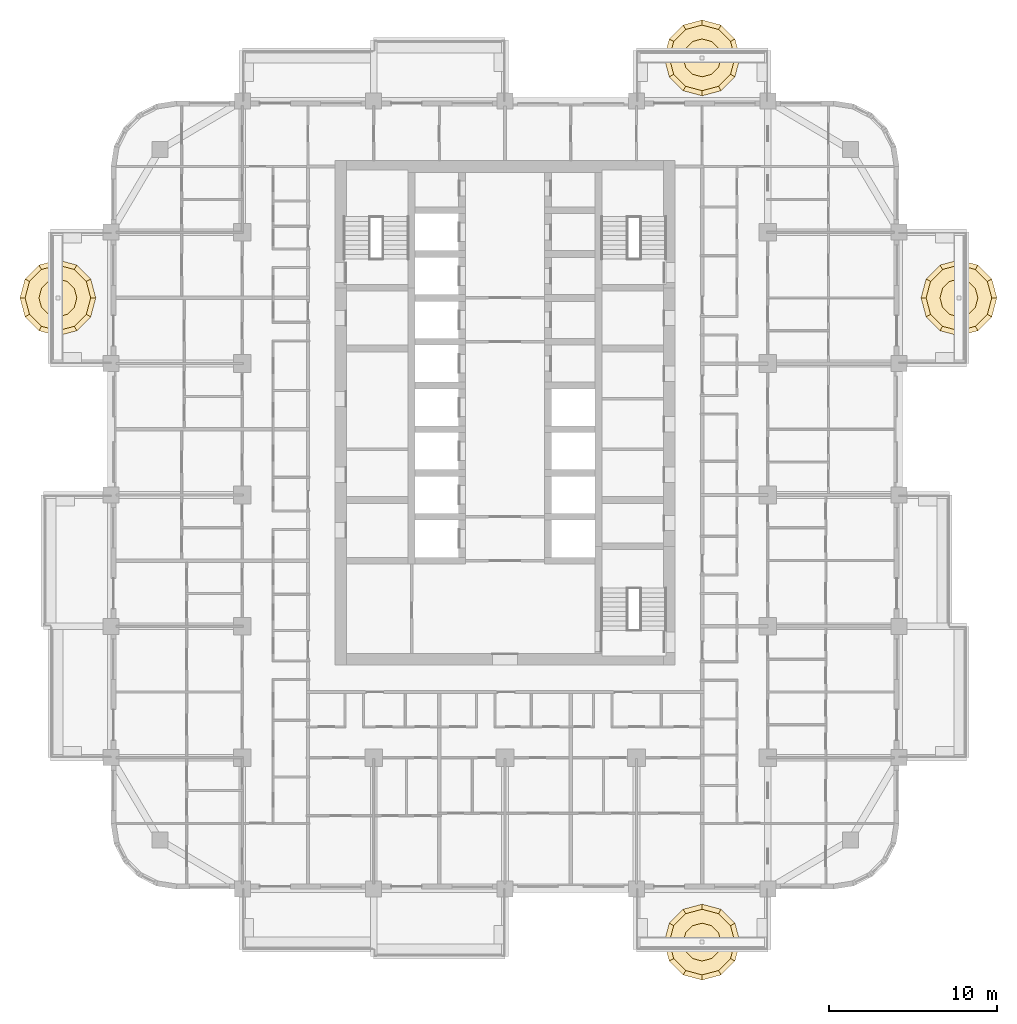
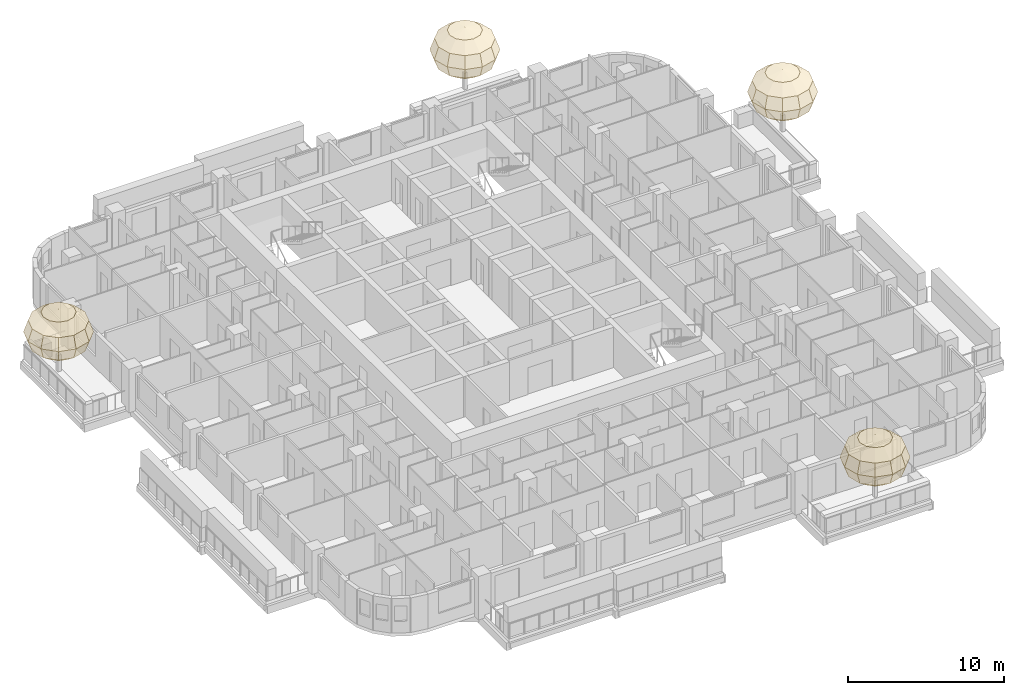
# One storey, part 19 of 19: 4 coverings.
"""IFC4 building model written with IfcOpenShell, lengths in metres."""

from ifc_helpers import new_model, si_unit, direction, frame, origin, place, context, subcontext, project, spatial, triangles, material, layer, layer_set, type_object, element, save


model = new_model("IFC4")

# Units and contexts
model_context = context("Model", 3, precision=1e-05, world=origin(), true_north=direction((0.0, 1.0)))
body_context = subcontext(model_context, "Body", "Model", "MODEL_VIEW")
ifc_project = project(units=[si_unit("LENGTHUNIT", "METRE"), si_unit("AREAUNIT", "SQUARE_METRE"), si_unit("VOLUMEUNIT", "CUBIC_METRE"), si_unit("PLANEANGLEUNIT", "RADIAN"), si_unit("MASSUNIT", "GRAM", prefix="KILO")], contexts=[model_context])

# Site, building, storey
site_placement = place(None, origin())
site = spatial("IfcSite", under=ifc_project, at=site_placement, CompositionType="ELEMENT")
building_placement = place(site_placement, origin())
building = spatial("IfcBuilding", under=site, at=building_placement, Name="Ludao Terraces", CompositionType="ELEMENT")
storey_placement = place(building_placement, frame((0.0, 0.0, 68.199951171875)))
storey = spatial("IfcBuildingStorey", under=building, at=storey_placement, Name="L18", CompositionType="ELEMENT", Elevation=68.199951171875)

# Coverings
ifc_material = material(Name="Planting")
ifc_layer = layer(ifc_material, 4.5)
ifc_layer_set = layer_set([ifc_layer], Name="ENV Tree crown 4500x3500")
covering_type = type_object("IfcCoveringType", Name="ENV Tree crown 4500x3500", PredefinedType="USERDEFINED", material=ifc_layer_set)
covering_1_placement = place(storey_placement, frame((96.699951171875, 38.449951171875, 4.400146484375)))
element("IfcCovering", 1, at=covering_1_placement, inside=storey, type_object=covering_type, Name="Tree crown L18 S4", ObjectType="PLANTING", PredefinedType="USERDEFINED", context=body_context, shape_type="Tessellation", body=[
    triangles([(0.0, 0.0, 1.75), (1.125, 0.0, 1.515625), (0.974365234375, 0.5625, 1.515625), (0.5625, 0.974365234375, 1.515625), (0.0, 1.125, 1.515625), (-0.5625, 0.974365234375, 1.515625), (-0.974365234375, 0.5625, 1.515625), (-1.125, 0.0, 1.515625), (-0.974365234375, -0.5625, 1.515625), (-0.5625, -0.974365234375, 1.515625), (0.0, -1.125, 1.515625), (0.5625, -0.974365234375, 1.515625), (0.974365234375, -0.5625, 1.515625), (1.948486328125, 0.0, 0.875), (1.6875, 0.974365234375, 0.875), (0.974365234375, 1.6875, 0.875), (0.0, 1.948486328125, 0.875), (-0.974365234375, 1.6875, 0.875), (-1.6875, 0.974365234375, 0.875), (-1.948486328125, 0.0, 0.875), (-1.6875, -0.974365234375, 0.875), (-0.974365234375, -1.6875, 0.875), (0.0, -1.948486328125, 0.875), (0.974365234375, -1.6875, 0.875), (1.6875, -0.974365234375, 0.875), (2.25, 0.0, 0.0), (1.948486328125, 1.125, 0.0), (1.125, 1.948486328125, 0.0), (0.0, 2.25, 0.0), (-1.125, 1.948486328125, 0.0), (-1.948486328125, 1.125, 0.0), (-2.25, 0.0, 0.0), (-1.948486328125, -1.125, 0.0), (-1.125, -1.948486328125, 0.0), (0.0, -2.25, 0.0), (1.125, -1.948486328125, 0.0), (1.948486328125, -1.125, 0.0), (1.948486328125, 0.0, -0.875), (1.6875, 0.974365234375, -0.875), (0.974365234375, 1.6875, -0.875), (0.0, 1.948486328125, -0.875), (-0.974365234375, 1.6875, -0.875), (-1.6875, 0.974365234375, -0.875), (-1.948486328125, 0.0, -0.875), (-1.6875, -0.974365234375, -0.875), (-0.974365234375, -1.6875, -0.875), (0.0, -1.948486328125, -0.875), (0.974365234375, -1.6875, -0.875), (1.6875, -0.974365234375, -0.875), (1.125, 0.0, -1.515625), (0.974365234375, 0.5625, -1.515625), (0.5625, 0.974365234375, -1.515625), (0.0, 1.125, -1.515625), (-0.5625, 0.974365234375, -1.515625), (-0.974365234375, 0.5625, -1.515625), (-1.125, 0.0, -1.515625), (-0.974365234375, -0.5625, -1.515625), (-0.5625, -0.974365234375, -1.515625), (0.0, -1.125, -1.515625), (0.5625, -0.974365234375, -1.515625), (0.974365234375, -0.5625, -1.515625), (0.0, 0.0, -1.75)], [[1, 2, 3], [1, 3, 4], [1, 4, 5], [1, 5, 6], [1, 6, 7], [1, 7, 8], [1, 8, 9], [1, 9, 10], [1, 10, 11], [1, 11, 12], [1, 12, 13], [1, 13, 2], [2, 14, 15], [2, 15, 3], [3, 15, 16], [3, 16, 4], [4, 16, 17], [4, 17, 5], [5, 17, 18], [5, 18, 6], [6, 18, 19], [6, 19, 7], [7, 19, 20], [7, 20, 8], [8, 20, 21], [8, 21, 9], [9, 21, 22], [9, 22, 10], [10, 22, 23], [10, 23, 11], [11, 23, 24], [11, 24, 12], [12, 24, 25], [12, 25, 13], [13, 25, 14], [13, 14, 2], [14, 26, 27], [14, 27, 15], [15, 27, 28], [15, 28, 16], [16, 28, 29], [16, 29, 17], [17, 29, 30], [17, 30, 18], [18, 30, 31], [18, 31, 19], [19, 31, 32], [19, 32, 20], [20, 32, 33], [20, 33, 21], [21, 33, 34], [21, 34, 22], [22, 34, 35], [22, 35, 23], [23, 35, 36], [23, 36, 24], [24, 36, 37], [24, 37, 25], [25, 37, 26], [25, 26, 14], [26, 38, 39], [26, 39, 27], [27, 39, 40], [27, 40, 28], [28, 40, 41], [28, 41, 29], [29, 41, 42], [29, 42, 30], [30, 42, 43], [30, 43, 31], [31, 43, 44], [31, 44, 32], [32, 44, 45], [32, 45, 33], [33, 45, 46], [33, 46, 34], [34, 46, 47], [34, 47, 35], [35, 47, 48], [35, 48, 36], [36, 48, 49], [36, 49, 37], [37, 49, 38], [37, 38, 26], [38, 50, 51], [38, 51, 39], [39, 51, 52], [39, 52, 40], [40, 52, 53], [40, 53, 41], [41, 53, 54], [41, 54, 42], [42, 54, 55], [42, 55, 43], [43, 55, 56], [43, 56, 44], [44, 56, 57], [44, 57, 45], [45, 57, 58], [45, 58, 46], [46, 58, 59], [46, 59, 47], [47, 59, 60], [47, 60, 48], [48, 60, 61], [48, 61, 49], [49, 61, 50], [49, 50, 38], [62, 51, 50], [62, 52, 51], [62, 53, 52], [62, 54, 53], [62, 55, 54], [62, 56, 55], [62, 57, 56], [62, 58, 57], [62, 59, 58], [62, 60, 59], [62, 61, 60], [62, 50, 61]], closed=True),
])
covering_2_placement = place(storey_placement, frame((111.949951171875, 76.699951171875, 4.400146484375)))
element("IfcCovering", 2, at=covering_2_placement, inside=storey, type_object=covering_type, Name="Tree crown L18 E4", ObjectType="PLANTING", PredefinedType="USERDEFINED", context=body_context, shape_type="Tessellation", body=[
    triangles([(0.0, 0.0, 1.75), (1.125, 0.0, 1.515625), (0.974365234375, 0.5625, 1.515625), (0.5625, 0.974365234375, 1.515625), (0.0, 1.125, 1.515625), (-0.5625, 0.974365234375, 1.515625), (-0.974365234375, 0.5625, 1.515625), (-1.125, 0.0, 1.515625), (-0.974365234375, -0.5625, 1.515625), (-0.5625, -0.974365234375, 1.515625), (0.0, -1.125, 1.515625), (0.5625, -0.974365234375, 1.515625), (0.974365234375, -0.5625, 1.515625), (1.948486328125, 0.0, 0.875), (1.6875, 0.974365234375, 0.875), (0.974365234375, 1.6875, 0.875), (0.0, 1.948486328125, 0.875), (-0.974365234375, 1.6875, 0.875), (-1.6875, 0.974365234375, 0.875), (-1.948486328125, 0.0, 0.875), (-1.6875, -0.974365234375, 0.875), (-0.974365234375, -1.6875, 0.875), (0.0, -1.948486328125, 0.875), (0.974365234375, -1.6875, 0.875), (1.6875, -0.974365234375, 0.875), (2.25, 0.0, 0.0), (1.948486328125, 1.125, 0.0), (1.125, 1.948486328125, 0.0), (0.0, 2.25, 0.0), (-1.125, 1.948486328125, 0.0), (-1.948486328125, 1.125, 0.0), (-2.25, 0.0, 0.0), (-1.948486328125, -1.125, 0.0), (-1.125, -1.948486328125, 0.0), (0.0, -2.25, 0.0), (1.125, -1.948486328125, 0.0), (1.948486328125, -1.125, 0.0), (1.948486328125, 0.0, -0.875), (1.6875, 0.974365234375, -0.875), (0.974365234375, 1.6875, -0.875), (0.0, 1.948486328125, -0.875), (-0.974365234375, 1.6875, -0.875), (-1.6875, 0.974365234375, -0.875), (-1.948486328125, 0.0, -0.875), (-1.6875, -0.974365234375, -0.875), (-0.974365234375, -1.6875, -0.875), (0.0, -1.948486328125, -0.875), (0.974365234375, -1.6875, -0.875), (1.6875, -0.974365234375, -0.875), (1.125, 0.0, -1.515625), (0.974365234375, 0.5625, -1.515625), (0.5625, 0.974365234375, -1.515625), (0.0, 1.125, -1.515625), (-0.5625, 0.974365234375, -1.515625), (-0.974365234375, 0.5625, -1.515625), (-1.125, 0.0, -1.515625), (-0.974365234375, -0.5625, -1.515625), (-0.5625, -0.974365234375, -1.515625), (0.0, -1.125, -1.515625), (0.5625, -0.974365234375, -1.515625), (0.974365234375, -0.5625, -1.515625), (0.0, 0.0, -1.75)], [[1, 2, 3], [1, 3, 4], [1, 4, 5], [1, 5, 6], [1, 6, 7], [1, 7, 8], [1, 8, 9], [1, 9, 10], [1, 10, 11], [1, 11, 12], [1, 12, 13], [1, 13, 2], [2, 14, 15], [2, 15, 3], [3, 15, 16], [3, 16, 4], [4, 16, 17], [4, 17, 5], [5, 17, 18], [5, 18, 6], [6, 18, 19], [6, 19, 7], [7, 19, 20], [7, 20, 8], [8, 20, 21], [8, 21, 9], [9, 21, 22], [9, 22, 10], [10, 22, 23], [10, 23, 11], [11, 23, 24], [11, 24, 12], [12, 24, 25], [12, 25, 13], [13, 25, 14], [13, 14, 2], [14, 26, 27], [14, 27, 15], [15, 27, 28], [15, 28, 16], [16, 28, 29], [16, 29, 17], [17, 29, 30], [17, 30, 18], [18, 30, 31], [18, 31, 19], [19, 31, 32], [19, 32, 20], [20, 32, 33], [20, 33, 21], [21, 33, 34], [21, 34, 22], [22, 34, 35], [22, 35, 23], [23, 35, 36], [23, 36, 24], [24, 36, 37], [24, 37, 25], [25, 37, 26], [25, 26, 14], [26, 38, 39], [26, 39, 27], [27, 39, 40], [27, 40, 28], [28, 40, 41], [28, 41, 29], [29, 41, 42], [29, 42, 30], [30, 42, 43], [30, 43, 31], [31, 43, 44], [31, 44, 32], [32, 44, 45], [32, 45, 33], [33, 45, 46], [33, 46, 34], [34, 46, 47], [34, 47, 35], [35, 47, 48], [35, 48, 36], [36, 48, 49], [36, 49, 37], [37, 49, 38], [37, 38, 26], [38, 50, 51], [38, 51, 39], [39, 51, 52], [39, 52, 40], [40, 52, 53], [40, 53, 41], [41, 53, 54], [41, 54, 42], [42, 54, 55], [42, 55, 43], [43, 55, 56], [43, 56, 44], [44, 56, 57], [44, 57, 45], [45, 57, 58], [45, 58, 46], [46, 58, 59], [46, 59, 47], [47, 59, 60], [47, 60, 48], [48, 60, 61], [48, 61, 49], [49, 61, 50], [49, 50, 38], [62, 51, 50], [62, 52, 51], [62, 53, 52], [62, 54, 53], [62, 55, 54], [62, 56, 55], [62, 57, 56], [62, 58, 57], [62, 59, 58], [62, 60, 59], [62, 61, 60], [62, 50, 61]], closed=True),
])
covering_3_placement = place(storey_placement, frame((96.699951171875, 90.949951171875, 4.400146484375)))
element("IfcCovering", 3, at=covering_3_placement, inside=storey, type_object=covering_type, Name="Tree crown L18 N4", ObjectType="PLANTING", PredefinedType="USERDEFINED", context=body_context, shape_type="Tessellation", body=[
    triangles([(0.0, 0.0, 1.75), (1.125, 0.0, 1.515625), (0.974365234375, 0.5625, 1.515625), (0.5625, 0.974365234375, 1.515625), (0.0, 1.125, 1.515625), (-0.5625, 0.974365234375, 1.515625), (-0.974365234375, 0.5625, 1.515625), (-1.125, 0.0, 1.515625), (-0.974365234375, -0.5625, 1.515625), (-0.5625, -0.974365234375, 1.515625), (0.0, -1.125, 1.515625), (0.5625, -0.974365234375, 1.515625), (0.974365234375, -0.5625, 1.515625), (1.948486328125, 0.0, 0.875), (1.6875, 0.974365234375, 0.875), (0.974365234375, 1.6875, 0.875), (0.0, 1.948486328125, 0.875), (-0.974365234375, 1.6875, 0.875), (-1.6875, 0.974365234375, 0.875), (-1.948486328125, 0.0, 0.875), (-1.6875, -0.974365234375, 0.875), (-0.974365234375, -1.6875, 0.875), (0.0, -1.948486328125, 0.875), (0.974365234375, -1.6875, 0.875), (1.6875, -0.974365234375, 0.875), (2.25, 0.0, 0.0), (1.948486328125, 1.125, 0.0), (1.125, 1.948486328125, 0.0), (0.0, 2.25, 0.0), (-1.125, 1.948486328125, 0.0), (-1.948486328125, 1.125, 0.0), (-2.25, 0.0, 0.0), (-1.948486328125, -1.125, 0.0), (-1.125, -1.948486328125, 0.0), (0.0, -2.25, 0.0), (1.125, -1.948486328125, 0.0), (1.948486328125, -1.125, 0.0), (1.948486328125, 0.0, -0.875), (1.6875, 0.974365234375, -0.875), (0.974365234375, 1.6875, -0.875), (0.0, 1.948486328125, -0.875), (-0.974365234375, 1.6875, -0.875), (-1.6875, 0.974365234375, -0.875), (-1.948486328125, 0.0, -0.875), (-1.6875, -0.974365234375, -0.875), (-0.974365234375, -1.6875, -0.875), (0.0, -1.948486328125, -0.875), (0.974365234375, -1.6875, -0.875), (1.6875, -0.974365234375, -0.875), (1.125, 0.0, -1.515625), (0.974365234375, 0.5625, -1.515625), (0.5625, 0.974365234375, -1.515625), (0.0, 1.125, -1.515625), (-0.5625, 0.974365234375, -1.515625), (-0.974365234375, 0.5625, -1.515625), (-1.125, 0.0, -1.515625), (-0.974365234375, -0.5625, -1.515625), (-0.5625, -0.974365234375, -1.515625), (0.0, -1.125, -1.515625), (0.5625, -0.974365234375, -1.515625), (0.974365234375, -0.5625, -1.515625), (0.0, 0.0, -1.75)], [[1, 2, 3], [1, 3, 4], [1, 4, 5], [1, 5, 6], [1, 6, 7], [1, 7, 8], [1, 8, 9], [1, 9, 10], [1, 10, 11], [1, 11, 12], [1, 12, 13], [1, 13, 2], [2, 14, 15], [2, 15, 3], [3, 15, 16], [3, 16, 4], [4, 16, 17], [4, 17, 5], [5, 17, 18], [5, 18, 6], [6, 18, 19], [6, 19, 7], [7, 19, 20], [7, 20, 8], [8, 20, 21], [8, 21, 9], [9, 21, 22], [9, 22, 10], [10, 22, 23], [10, 23, 11], [11, 23, 24], [11, 24, 12], [12, 24, 25], [12, 25, 13], [13, 25, 14], [13, 14, 2], [14, 26, 27], [14, 27, 15], [15, 27, 28], [15, 28, 16], [16, 28, 29], [16, 29, 17], [17, 29, 30], [17, 30, 18], [18, 30, 31], [18, 31, 19], [19, 31, 32], [19, 32, 20], [20, 32, 33], [20, 33, 21], [21, 33, 34], [21, 34, 22], [22, 34, 35], [22, 35, 23], [23, 35, 36], [23, 36, 24], [24, 36, 37], [24, 37, 25], [25, 37, 26], [25, 26, 14], [26, 38, 39], [26, 39, 27], [27, 39, 40], [27, 40, 28], [28, 40, 41], [28, 41, 29], [29, 41, 42], [29, 42, 30], [30, 42, 43], [30, 43, 31], [31, 43, 44], [31, 44, 32], [32, 44, 45], [32, 45, 33], [33, 45, 46], [33, 46, 34], [34, 46, 47], [34, 47, 35], [35, 47, 48], [35, 48, 36], [36, 48, 49], [36, 49, 37], [37, 49, 38], [37, 38, 26], [38, 50, 51], [38, 51, 39], [39, 51, 52], [39, 52, 40], [40, 52, 53], [40, 53, 41], [41, 53, 54], [41, 54, 42], [42, 54, 55], [42, 55, 43], [43, 55, 56], [43, 56, 44], [44, 56, 57], [44, 57, 45], [45, 57, 58], [45, 58, 46], [46, 58, 59], [46, 59, 47], [47, 59, 60], [47, 60, 48], [48, 60, 61], [48, 61, 49], [49, 61, 50], [49, 50, 38], [62, 51, 50], [62, 52, 51], [62, 53, 52], [62, 54, 53], [62, 55, 54], [62, 56, 55], [62, 57, 56], [62, 58, 57], [62, 59, 58], [62, 60, 59], [62, 61, 60], [62, 50, 61]], closed=True),
])
covering_4_placement = place(storey_placement, frame((58.449951171875, 76.699951171875, 4.400146484375)))
element("IfcCovering", 4, at=covering_4_placement, inside=storey, type_object=covering_type, Name="Tree crown L18 W4", ObjectType="PLANTING", PredefinedType="USERDEFINED", context=body_context, shape_type="Tessellation", body=[
    triangles([(0.0, 0.0, 1.75), (1.125, 0.0, 1.515625), (0.974365234375, 0.5625, 1.515625), (0.5625, 0.974365234375, 1.515625), (0.0, 1.125, 1.515625), (-0.5625, 0.974365234375, 1.515625), (-0.974365234375, 0.5625, 1.515625), (-1.125, 0.0, 1.515625), (-0.974365234375, -0.5625, 1.515625), (-0.5625, -0.974365234375, 1.515625), (0.0, -1.125, 1.515625), (0.5625, -0.974365234375, 1.515625), (0.974365234375, -0.5625, 1.515625), (1.948486328125, 0.0, 0.875), (1.6875, 0.974365234375, 0.875), (0.974365234375, 1.6875, 0.875), (0.0, 1.948486328125, 0.875), (-0.974365234375, 1.6875, 0.875), (-1.6875, 0.974365234375, 0.875), (-1.948486328125, 0.0, 0.875), (-1.6875, -0.974365234375, 0.875), (-0.974365234375, -1.6875, 0.875), (0.0, -1.948486328125, 0.875), (0.974365234375, -1.6875, 0.875), (1.6875, -0.974365234375, 0.875), (2.25, 0.0, 0.0), (1.948486328125, 1.125, 0.0), (1.125, 1.948486328125, 0.0), (0.0, 2.25, 0.0), (-1.125, 1.948486328125, 0.0), (-1.948486328125, 1.125, 0.0), (-2.25, 0.0, 0.0), (-1.948486328125, -1.125, 0.0), (-1.125, -1.948486328125, 0.0), (0.0, -2.25, 0.0), (1.125, -1.948486328125, 0.0), (1.948486328125, -1.125, 0.0), (1.948486328125, 0.0, -0.875), (1.6875, 0.974365234375, -0.875), (0.974365234375, 1.6875, -0.875), (0.0, 1.948486328125, -0.875), (-0.974365234375, 1.6875, -0.875), (-1.6875, 0.974365234375, -0.875), (-1.948486328125, 0.0, -0.875), (-1.6875, -0.974365234375, -0.875), (-0.974365234375, -1.6875, -0.875), (0.0, -1.948486328125, -0.875), (0.974365234375, -1.6875, -0.875), (1.6875, -0.974365234375, -0.875), (1.125, 0.0, -1.515625), (0.974365234375, 0.5625, -1.515625), (0.5625, 0.974365234375, -1.515625), (0.0, 1.125, -1.515625), (-0.5625, 0.974365234375, -1.515625), (-0.974365234375, 0.5625, -1.515625), (-1.125, 0.0, -1.515625), (-0.974365234375, -0.5625, -1.515625), (-0.5625, -0.974365234375, -1.515625), (0.0, -1.125, -1.515625), (0.5625, -0.974365234375, -1.515625), (0.974365234375, -0.5625, -1.515625), (0.0, 0.0, -1.75)], [[1, 2, 3], [1, 3, 4], [1, 4, 5], [1, 5, 6], [1, 6, 7], [1, 7, 8], [1, 8, 9], [1, 9, 10], [1, 10, 11], [1, 11, 12], [1, 12, 13], [1, 13, 2], [2, 14, 15], [2, 15, 3], [3, 15, 16], [3, 16, 4], [4, 16, 17], [4, 17, 5], [5, 17, 18], [5, 18, 6], [6, 18, 19], [6, 19, 7], [7, 19, 20], [7, 20, 8], [8, 20, 21], [8, 21, 9], [9, 21, 22], [9, 22, 10], [10, 22, 23], [10, 23, 11], [11, 23, 24], [11, 24, 12], [12, 24, 25], [12, 25, 13], [13, 25, 14], [13, 14, 2], [14, 26, 27], [14, 27, 15], [15, 27, 28], [15, 28, 16], [16, 28, 29], [16, 29, 17], [17, 29, 30], [17, 30, 18], [18, 30, 31], [18, 31, 19], [19, 31, 32], [19, 32, 20], [20, 32, 33], [20, 33, 21], [21, 33, 34], [21, 34, 22], [22, 34, 35], [22, 35, 23], [23, 35, 36], [23, 36, 24], [24, 36, 37], [24, 37, 25], [25, 37, 26], [25, 26, 14], [26, 38, 39], [26, 39, 27], [27, 39, 40], [27, 40, 28], [28, 40, 41], [28, 41, 29], [29, 41, 42], [29, 42, 30], [30, 42, 43], [30, 43, 31], [31, 43, 44], [31, 44, 32], [32, 44, 45], [32, 45, 33], [33, 45, 46], [33, 46, 34], [34, 46, 47], [34, 47, 35], [35, 47, 48], [35, 48, 36], [36, 48, 49], [36, 49, 37], [37, 49, 38], [37, 38, 26], [38, 50, 51], [38, 51, 39], [39, 51, 52], [39, 52, 40], [40, 52, 53], [40, 53, 41], [41, 53, 54], [41, 54, 42], [42, 54, 55], [42, 55, 43], [43, 55, 56], [43, 56, 44], [44, 56, 57], [44, 57, 45], [45, 57, 58], [45, 58, 46], [46, 58, 59], [46, 59, 47], [47, 59, 60], [47, 60, 48], [48, 60, 61], [48, 61, 49], [49, 61, 50], [49, 50, 38], [62, 51, 50], [62, 52, 51], [62, 53, 52], [62, 54, 53], [62, 55, 54], [62, 56, 55], [62, 57, 56], [62, 58, 57], [62, 59, 58], [62, 60, 59], [62, 61, 60], [62, 50, 61]], closed=True),
])

save(model, "model.ifc")
